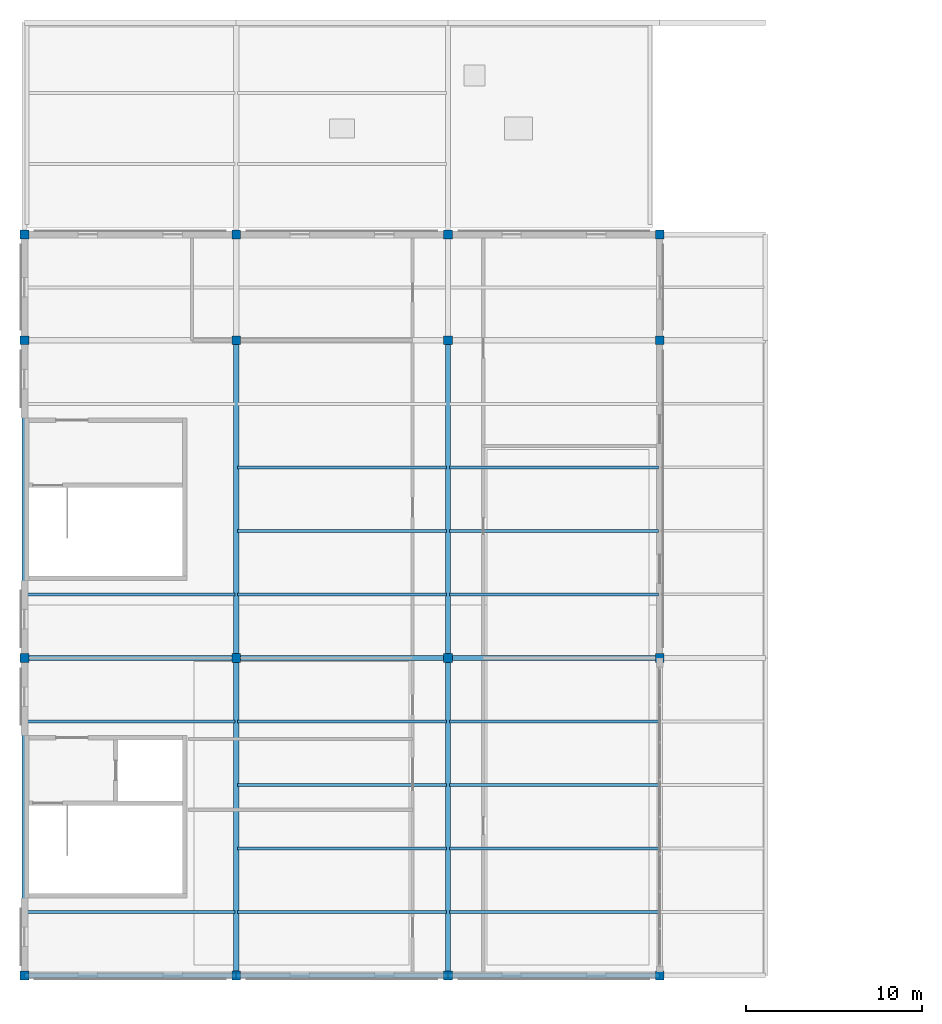
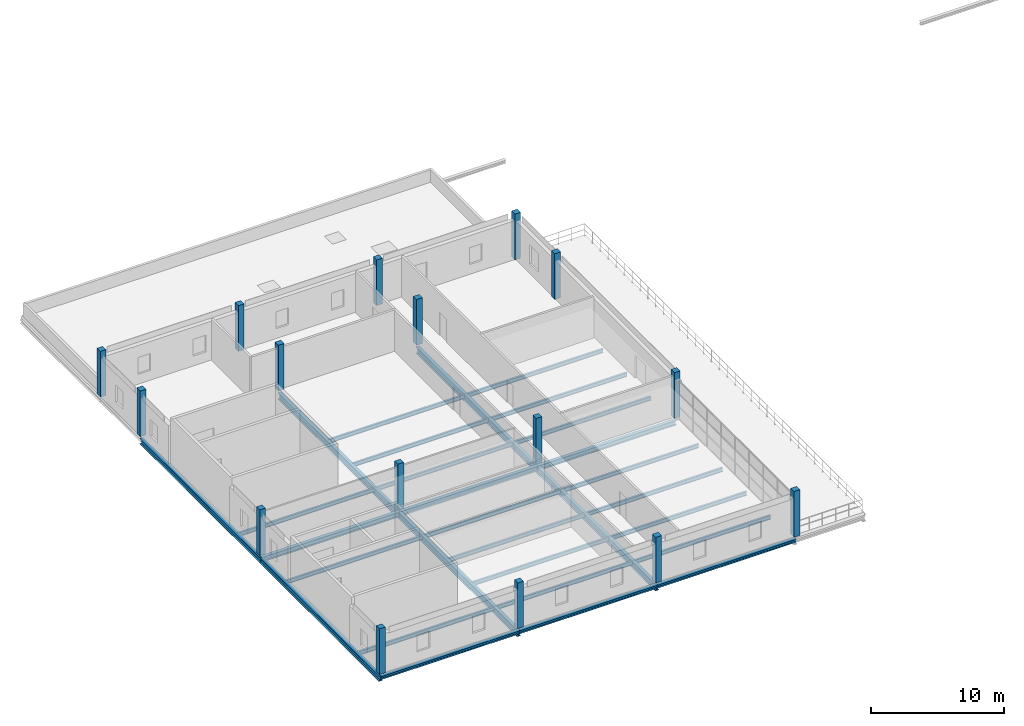
# One storey, part 1 of 11: 29 beams, 16 columns.
"""IFC4 building model written with IfcOpenShell, lengths in metres."""

from ifc_helpers import new_model, si_unit, direction, frame, origin, origin_2d, place, context, subcontext, project, spatial, rectangle, i_section, extrude, material, material_profile, profile_set, type_object, element, save


model = new_model("IFC4")

# Units and contexts
model_context = context("Model", 3, precision=1e-05, world=origin(), true_north=direction((0.0, 1.0)))
body_context = subcontext(model_context, "Body", "Model", "MODEL_VIEW")
ifc_project = project(units=[si_unit("LENGTHUNIT", "METRE"), si_unit("AREAUNIT", "SQUARE_METRE"), si_unit("VOLUMEUNIT", "CUBIC_METRE"), si_unit("PLANEANGLEUNIT", "RADIAN"), si_unit("MASSUNIT", "GRAM", prefix="KILO")], contexts=[model_context])

# Site, building, storey
site_placement = place(None, origin())
site = spatial("IfcSite", under=ifc_project, at=site_placement, CompositionType="ELEMENT")
building_placement = place(site_placement, origin())
building = spatial("IfcBuilding", under=site, at=building_placement, Name="Zilviju Railside Exhibition Hall", CompositionType="ELEMENT")
storey_placement = place(building_placement, frame((0.0, 0.0, 16.800048828125)))
storey = spatial("IfcBuildingStorey", under=building, at=storey_placement, Name="L05", CompositionType="ELEMENT", Elevation=16.800048828125)

# Columns
ifc_material_1 = material(Name="Concrete C35/45", Category="concrete")
ifc_material_profile_1 = material_profile(ifc_material_1, rectangle(XDim=0.5, YDim=0.5, at=origin_2d()), Name="RC COL 500x500")
ifc_profile_set_1 = profile_set([ifc_material_profile_1], Name="Concrete C35/45")
column_type = type_object("IfcColumnType", Name="COL-RC-500", PredefinedType="COLUMN", material=ifc_profile_set_1)
for number, where, z_axis, x_axis, name in (
    (1, (0.0, 84.0, 0.0), (0.0, 0.0, 1.0), (1.0, 0.0, 0.0), "Structural Column L05 (0.0, 84.0)"),
    (2, (12.0, 84.0, 0.0), (0.0, 0.0, 1.0), (1.0, 0.0, 0.0), "Structural Column L05 (12.0, 84.0)"),
    (3, (24.0, 84.0, 0.0), (0.0, 0.0, 1.0), (1.0, 0.0, 0.0), "Structural Column L05 (24.0, 84.0)"),
    (4, (36.0, 84.0, 0.0), (0.0, 0.0, 1.0), (1.0, 0.0, 0.0), "Structural Column L05 (36.0, 84.0)"),
    (5, (0.0, 102.0, 0.0), (0.0, 0.0, 1.0), (1.0, 0.0, 0.0), "Structural Column L05 (0.0, 102.0)"),
    (6, (12.0, 102.0, 0.0), (0.0, 0.0, 1.0), (1.0, 0.0, 0.0), "Structural Column L05 (12.0, 102.0)"),
    (7, (24.0, 102.0, 0.0), (0.0, 0.0, 1.0), (1.0, 0.0, 0.0), "Structural Column L05 (24.0, 102.0)"),
    (8, (36.0, 102.0, 0.0), (0.0, 0.0, 1.0), (1.0, 0.0, 0.0), "Structural Column L05 (36.0, 102.0)"),
    (9, (0.0, 120.0, 0.0), (0.0, 0.0, 1.0), (1.0, 0.0, 0.0), "Structural Column L05 (0.0, 120.0)"),
    (10, (12.0, 120.0, 0.0), (0.0, 0.0, 1.0), (1.0, 0.0, 0.0), "Structural Column L05 (12.0, 120.0)"),
    (11, (24.0, 120.0, 0.0), (0.0, 0.0, 1.0), (1.0, 0.0, 0.0), "Structural Column L05 (24.0, 120.0)"),
    (12, (36.0, 120.0, 0.0), (0.0, 0.0, 1.0), (1.0, 0.0, 0.0), "Structural Column L05 (36.0, 120.0)"),
    (13, (0.0, 126.0, 0.0), (0.0, 0.0, 1.0), (1.0, 0.0, 0.0), "Structural Column L05 (0.0, 126.0)"),
    (14, (12.0, 126.0, 0.0), (0.0, 0.0, 1.0), (1.0, 0.0, 0.0), "Structural Column L05 (12.0, 126.0)"),
    (15, (24.0, 126.0, 0.0), (0.0, 0.0, 1.0), (1.0, 0.0, 0.0), "Structural Column L05 (24.0, 126.0)"),
    (16, (36.0, 126.0, 0.0), (0.0, 0.0, 1.0), (1.0, 0.0, 0.0), "Structural Column L05 (36.0, 126.0)"),
):
    element("IfcColumn", number, at=place(storey_placement, frame(where, z_axis=z_axis, x_axis=x_axis)), inside=storey, type_object=column_type, Name=name, PredefinedType="COLUMN", context=body_context, shape_type="SweptSolid", body=[
        extrude(rectangle(XDim=0.5, YDim=0.5, at=origin_2d()), origin(), (0.0, 0.0, 1.0), 4.199951171875),
    ])

# Beams
ifc_material_2 = material(Name="Steel S355J2", Category="steel")
ifc_material_profile_2 = material_profile(ifc_material_2, i_section(OverallWidth=0.300048828125, OverallDepth=0.2900390625, WebThickness=0.008544921875, FlangeThickness=0.013916015625, at=origin_2d()), Name="HEA 300")
ifc_profile_set_2 = profile_set([ifc_material_profile_2], Name="Steel S355J2")
beam_type_1 = type_object("IfcBeamType", Name="BM-HEA300", PredefinedType="SPANDREL", material=ifc_profile_set_2)
for number, where, z_axis, x_axis, name in (
    (17, (0.0, 84.0, -0.465087890625), (1.0, 0.0, 0.0), (0.0, 1.0, 0.0), "Primary Girder L05 Y=84.0 (0.0..12.0)"),
    (18, (12.0, 84.0, -0.465087890625), (1.0, 0.0, 0.0), (0.0, 1.0, 0.0), "Primary Girder L05 Y=84.0 (12.0..24.0)"),
    (19, (24.0, 84.0, -0.465087890625), (1.0, 0.0, 0.0), (0.0, 1.0, 0.0), "Primary Girder L05 Y=84.0 (24.0..36.0)"),
):
    element("IfcBeam", number, at=place(storey_placement, frame(where, z_axis=z_axis, x_axis=x_axis)), inside=storey, type_object=beam_type_1, Name=name, PredefinedType="SPANDREL", context=body_context, shape_type="SweptSolid", body=[
        extrude(i_section(OverallWidth=0.300048828125, OverallDepth=0.2900390625, WebThickness=0.008544921875, FlangeThickness=0.013916015625, at=origin_2d()), origin(), (0.0, 0.0, 1.0), 12.0),
    ])
ifc_material_profile_3 = material_profile(ifc_material_2, i_section(OverallWidth=0.300048828125, OverallDepth=0.43994140625, WebThickness=0.011474609375, FlangeThickness=0.02099609375, at=origin_2d()), Name="HEA 450")
ifc_profile_set_3 = profile_set([ifc_material_profile_3], Name="Steel S355J2")
beam_type_2 = type_object("IfcBeamType", Name="BM-HEA450", PredefinedType="BEAM", material=ifc_profile_set_3)
for number, where, z_axis, x_axis, name in (
    (20, (0.0, 102.0, -0.5400390625), (1.0, 0.0, 0.0), (0.0, 1.0, 0.0), "Primary Girder L05 Y=102.0 (0.0..12.0)"),
    (21, (12.0, 102.0, -0.5400390625), (1.0, 0.0, 0.0), (0.0, 1.0, 0.0), "Primary Girder L05 Y=102.0 (12.0..24.0)"),
    (22, (24.0, 102.0, -0.5400390625), (1.0, 0.0, 0.0), (0.0, 1.0, 0.0), "Primary Girder L05 Y=102.0 (24.0..36.0)"),
):
    element("IfcBeam", number, at=place(storey_placement, frame(where, z_axis=z_axis, x_axis=x_axis)), inside=storey, type_object=beam_type_2, Name=name, PredefinedType="BEAM", context=body_context, shape_type="SweptSolid", body=[
        extrude(i_section(OverallWidth=0.300048828125, OverallDepth=0.43994140625, WebThickness=0.011474609375, FlangeThickness=0.02099609375, at=origin_2d()), origin(), (0.0, 0.0, 1.0), 12.0),
    ])
ifc_material_profile_4 = material_profile(ifc_material_2, i_section(OverallWidth=0.300048828125, OverallDepth=0.5, WebThickness=0.014404296875, FlangeThickness=0.028076171875, at=origin_2d()), Name="HEB 500")
ifc_profile_set_4 = profile_set([ifc_material_profile_4], Name="Steel S355J2")
beam_type_3 = type_object("IfcBeamType", Name="BM-HEB500", PredefinedType="BEAM", material=ifc_profile_set_4)
for number, where, z_axis, x_axis, name in (
    (23, (0.0, 84.0, -0.570068359375), (0.0, 1.0, 0.0), (-1.0, 0.0, 0.0), "Transverse Girder L05 X=0.0 (84.0..102.0)"),
    (24, (0.0, 102.0, -0.570068359375), (0.0, 1.0, 0.0), (-1.0, 0.0, 0.0), "Transverse Girder L05 X=0.0 (102.0..120.0)"),
):
    element("IfcBeam", number, at=place(storey_placement, frame(where, z_axis=z_axis, x_axis=x_axis)), inside=storey, type_object=beam_type_3, Name=name, PredefinedType="BEAM", context=body_context, shape_type="SweptSolid", body=[
        extrude(i_section(OverallWidth=0.300048828125, OverallDepth=0.5, WebThickness=0.014404296875, FlangeThickness=0.028076171875, at=origin_2d()), origin(), (0.0, 0.0, 1.0), 18.0),
    ])
ifc_material_profile_5 = material_profile(ifc_material_2, i_section(OverallWidth=0.300048828125, OverallDepth=0.60009765625, WebThickness=0.015380859375, FlangeThickness=0.030029296875, at=origin_2d()), Name="HEB 600")
ifc_profile_set_5 = profile_set([ifc_material_profile_5], Name="Steel S355J2")
beam_type_4 = type_object("IfcBeamType", Name="BM-HEB600", PredefinedType="BEAM", material=ifc_profile_set_5)
for number, where, z_axis, x_axis, name in (
    (25, (12.0, 84.0, -0.6201171875), (0.0, 1.0, 0.0), (-1.0, 0.0, 0.0), "Transverse Girder L05 X=12.0 (84.0..102.0)"),
    (26, (12.0, 102.0, -0.6201171875), (0.0, 1.0, 0.0), (-1.0, 0.0, 0.0), "Transverse Girder L05 X=12.0 (102.0..120.0)"),
    (27, (24.0, 84.0, -0.6201171875), (0.0, 1.0, 0.0), (-1.0, 0.0, 0.0), "Transverse Girder L05 X=24.0 (84.0..102.0)"),
    (28, (24.0, 102.0, -0.6201171875), (0.0, 1.0, 0.0), (-1.0, 0.0, 0.0), "Transverse Girder L05 X=24.0 (102.0..120.0)"),
):
    element("IfcBeam", number, at=place(storey_placement, frame(where, z_axis=z_axis, x_axis=x_axis)), inside=storey, type_object=beam_type_4, Name=name, PredefinedType="BEAM", context=body_context, shape_type="SweptSolid", body=[
        extrude(i_section(OverallWidth=0.300048828125, OverallDepth=0.60009765625, WebThickness=0.015380859375, FlangeThickness=0.030029296875, at=origin_2d()), origin(), (0.0, 0.0, 1.0), 18.0),
    ])
ifc_material_profile_6 = material_profile(ifc_material_2, i_section(OverallWidth=0.169921875, OverallDepth=0.360107421875, WebThickness=0.008056640625, FlangeThickness=0.0126953125, at=origin_2d()), Name="IPE 360")
ifc_profile_set_6 = profile_set([ifc_material_profile_6], Name="Steel S355J2")
beam_type_5 = type_object("IfcBeamType", Name="BM-IPE360", PredefinedType="JOIST", material=ifc_profile_set_6)
for number, where, z_axis, x_axis, name in (
    (29, (0.080078125, 87.60009765625, -0.5), (1.0, 0.0, 0.0), (0.0, 1.0, 0.0), "Composite Floor Joist L05 Y=87.60 (0.0..12.0)"),
    (30, (0.080078125, 98.39990234375, -0.5), (1.0, 0.0, 0.0), (0.0, 1.0, 0.0), "Composite Floor Joist L05 Y=98.40 (0.0..12.0)"),
    (31, (0.080078125, 105.60009765625, -0.5), (1.0, 0.0, 0.0), (0.0, 1.0, 0.0), "Composite Floor Joist L05 Y=105.60 (0.0..12.0)"),
    (32, (12.080078125, 87.60009765625, -0.5), (1.0, 0.0, 0.0), (0.0, 1.0, 0.0), "Composite Floor Joist L05 Y=87.60 (12.0..24.0)"),
    (33, (12.080078125, 91.199951171875, -0.5), (1.0, 0.0, 0.0), (0.0, 1.0, 0.0), "Composite Floor Joist L05 Y=91.20 (12.0..24.0)"),
    (34, (12.080078125, 94.800048828125, -0.5), (1.0, 0.0, 0.0), (0.0, 1.0, 0.0), "Composite Floor Joist L05 Y=94.80 (12.0..24.0)"),
    (35, (12.080078125, 98.39990234375, -0.5), (1.0, 0.0, 0.0), (0.0, 1.0, 0.0), "Composite Floor Joist L05 Y=98.40 (12.0..24.0)"),
    (36, (12.080078125, 105.60009765625, -0.5), (1.0, 0.0, 0.0), (0.0, 1.0, 0.0), "Composite Floor Joist L05 Y=105.60 (12.0..24.0)"),
    (37, (12.080078125, 109.199951171875, -0.5), (1.0, 0.0, 0.0), (0.0, 1.0, 0.0), "Composite Floor Joist L05 Y=109.20 (12.0..24.0)"),
    (38, (12.080078125, 112.800048828125, -0.5), (1.0, 0.0, 0.0), (0.0, 1.0, 0.0), "Composite Floor Joist L05 Y=112.80 (12.0..24.0)"),
    (39, (24.080078125, 87.60009765625, -0.5), (1.0, 0.0, 0.0), (0.0, 1.0, 0.0), "Composite Floor Joist L05 Y=87.60 (24.0..36.0)"),
    (40, (24.080078125, 91.199951171875, -0.5), (1.0, 0.0, 0.0), (0.0, 1.0, 0.0), "Composite Floor Joist L05 Y=91.20 (24.0..36.0)"),
    (41, (24.080078125, 94.800048828125, -0.5), (1.0, 0.0, 0.0), (0.0, 1.0, 0.0), "Composite Floor Joist L05 Y=94.80 (24.0..36.0)"),
    (42, (24.080078125, 98.39990234375, -0.5), (1.0, 0.0, 0.0), (0.0, 1.0, 0.0), "Composite Floor Joist L05 Y=98.40 (24.0..36.0)"),
    (43, (24.080078125, 105.60009765625, -0.5), (1.0, 0.0, 0.0), (0.0, 1.0, 0.0), "Composite Floor Joist L05 Y=105.60 (24.0..36.0)"),
    (44, (24.080078125, 109.199951171875, -0.5), (1.0, 0.0, 0.0), (0.0, 1.0, 0.0), "Composite Floor Joist L05 Y=109.20 (24.0..36.0)"),
    (45, (24.080078125, 112.800048828125, -0.5), (1.0, 0.0, 0.0), (0.0, 1.0, 0.0), "Composite Floor Joist L05 Y=112.80 (24.0..36.0)"),
):
    element("IfcBeam", number, at=place(storey_placement, frame(where, z_axis=z_axis, x_axis=x_axis)), inside=storey, type_object=beam_type_5, Name=name, PredefinedType="JOIST", context=body_context, shape_type="SweptSolid", body=[
        extrude(i_section(OverallWidth=0.169921875, OverallDepth=0.360107421875, WebThickness=0.008056640625, FlangeThickness=0.0126953125, at=origin_2d()), origin(), (0.0, 0.0, 1.0), 11.83984375),
    ])

save(model, "model.ifc")
